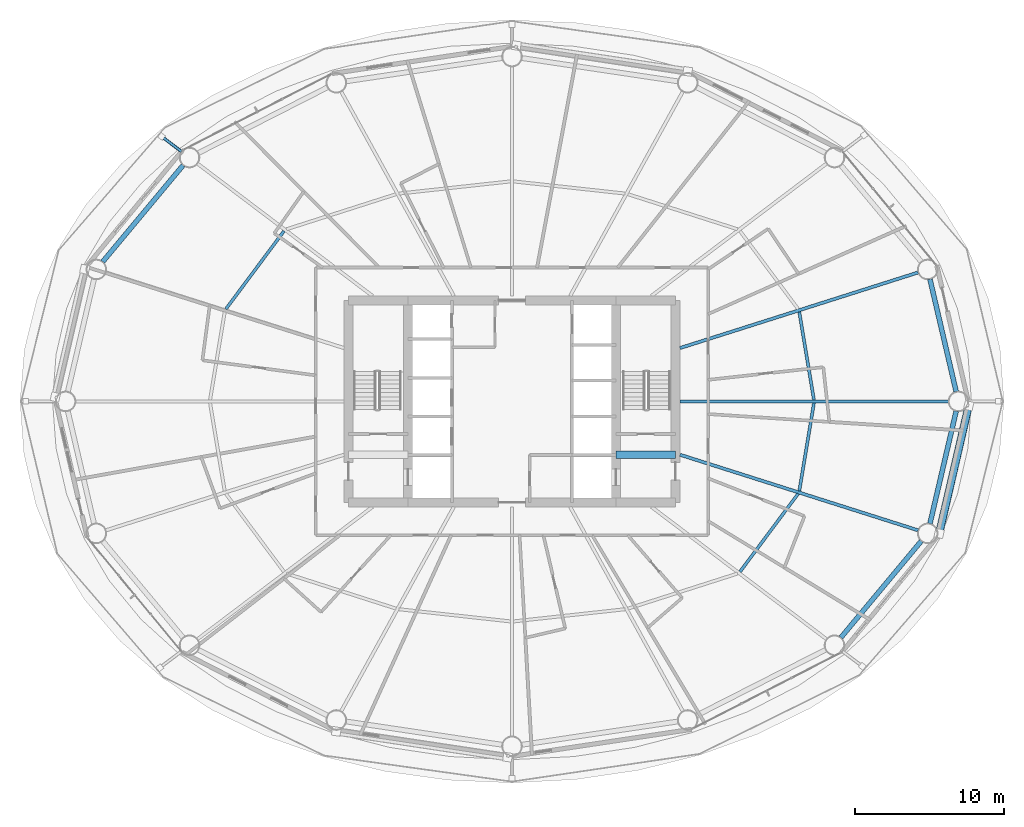
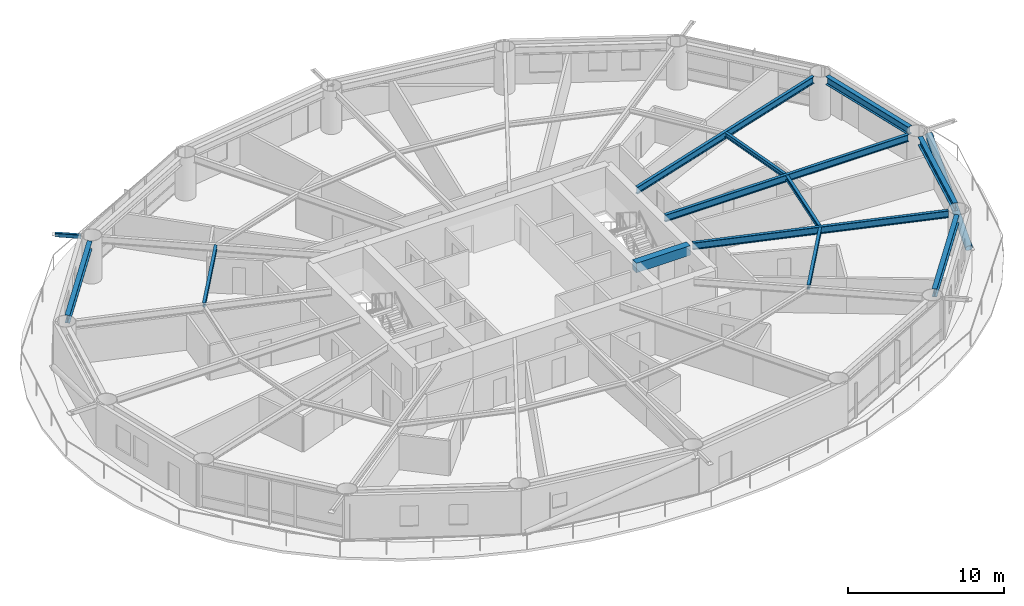
# One storey, part 9 of 26: 12 beams, 2 members.
"""IFC4 building model written with IfcOpenShell, lengths in metres."""

from ifc_helpers import new_model, si_unit, direction, frame, origin, origin_2d, place, context, subcontext, project, spatial, rectangle, hollow_rectangle, hollow_circle, i_section, extrude, material, material_profile, profile_set, type_object, element, save


model = new_model("IFC4")

# Units and contexts
model_context = context("Model", 3, precision=1e-05, world=origin(), true_north=direction((0.0, 1.0)))
body_context = subcontext(model_context, "Body", "Model", "MODEL_VIEW")
ifc_project = project(units=[si_unit("LENGTHUNIT", "METRE"), si_unit("AREAUNIT", "SQUARE_METRE"), si_unit("VOLUMEUNIT", "CUBIC_METRE"), si_unit("PLANEANGLEUNIT", "RADIAN"), si_unit("MASSUNIT", "GRAM", prefix="KILO")], contexts=[model_context])

# Site, building, storey
site_placement = place(None, origin())
site = spatial("IfcSite", under=ifc_project, at=site_placement, CompositionType="ELEMENT")
building_placement = place(site_placement, origin())
building = spatial("IfcBuilding", under=site, at=building_placement, Name="Sarneth Arch Tower", CompositionType="ELEMENT")
storey_placement = place(building_placement, frame((0.0, 0.0, 53.39990234375)))
storey = spatial("IfcBuildingStorey", under=building, at=storey_placement, Name="L12", CompositionType="ELEMENT", Elevation=53.39990234375)

# Beams
ifc_material_1 = material(Name="Steel S355", Category="steel")
ifc_material_profile_1 = material_profile(ifc_material_1, i_section(OverallWidth=0.2041015625, OverallDepth=0.35009765625, WebThickness=0.008544921875, FlangeThickness=0.01513671875, FilletRadius=0.014892578125, at=origin_2d()), Name="W360x72")
ifc_profile_set_1 = profile_set([ifc_material_profile_1], Name="Steel S355")
beam_type_1 = type_object("IfcBeamType", Name="BM-JOIST-360D", PredefinedType="JOIST", material=ifc_profile_set_1)
beam_1_placement = place(storey_placement, frame((68.312255859375, 42.10546875, 3.205078125), z_axis=(-0.163917352659, 0.986474075431, 0.0), x_axis=(-0.986474075431, -0.163917352659, 0.0)))
element("IfcBeam", 1, at=beam_1_placement, inside=storey, type_object=beam_type_1, Name="L12 Secondary floor joist 01", PredefinedType="JOIST", context=body_context, shape_type="SweptSolid", body=[
    extrude(i_section(OverallWidth=0.2041015625, OverallDepth=0.35009765625, WebThickness=0.008544921875, FlangeThickness=0.01513671875, FilletRadius=0.014892578125, at=origin_2d()), origin(), (0.0, 0.0, 1.0), 6.000732421875),
])
for number, where, z_axis, x_axis, name in (
    (2, (32.661865234375, 53.463134765625, 3.205078125), (-0.597453564101, -0.801903509621, 0.0), (0.801903509621, -0.597453564101, 0.0), "L12 Secondary floor joist 07"),
    (3, (63.338134765625, 30.536865234375, 3.205078125), (0.597453564101, 0.801903509621, 0.0), (-0.801903509621, 0.597453564101, 0.0), "L12 Secondary floor joist 15"),
):
    element("IfcBeam", number, at=place(storey_placement, frame(where, z_axis=z_axis, x_axis=x_axis)), inside=storey, type_object=beam_type_1, Name=name, PredefinedType="JOIST", context=body_context, shape_type="SweptSolid", body=[
        extrude(i_section(OverallWidth=0.2041015625, OverallDepth=0.35009765625, WebThickness=0.008544921875, FlangeThickness=0.01513671875, FilletRadius=0.014892578125, at=origin_2d()), origin(), (0.0, 0.0, 1.0), 6.542724609375),
    ])
beam_2_placement = place(storey_placement, frame((67.32861328125, 35.974853515625, 3.205078125), z_axis=(0.163917352659, 0.986474075431, 0.0), x_axis=(-0.986474075431, 0.163917352659, 0.0)))
element("IfcBeam", 4, at=beam_2_placement, inside=storey, type_object=beam_type_1, Name="L12 Secondary floor joist 16", PredefinedType="JOIST", context=body_context, shape_type="SweptSolid", body=[
    extrude(i_section(OverallWidth=0.2041015625, OverallDepth=0.35009765625, WebThickness=0.008544921875, FlangeThickness=0.01513671875, FilletRadius=0.014892578125, at=origin_2d()), origin(), (0.0, 0.0, 1.0), 6.000732421875),
])
ifc_material_2 = material(Name="Concrete C50/60", Category="concrete")
ifc_material_profile_2 = material_profile(ifc_material_2, rectangle(XDim=0.5, YDim=0.75, at=origin_2d()), Name="RC-500x750")
ifc_profile_set_2 = profile_set([ifc_material_profile_2], Name="Concrete C50/60")
beam_type_2 = type_object("IfcBeamType", Name="BM-LINTEL-RC", PredefinedType="LINTEL", material=ifc_profile_set_2)
beam_3_placement = place(storey_placement, frame((55.0, 38.39990234375, 3.005126953125), z_axis=(1.0, 0.0, 0.0), x_axis=(0.0, 1.0, 0.0)))
element("IfcBeam", 5, at=beam_3_placement, inside=storey, type_object=beam_type_2, Name="L12 Core coupling lintel E", PredefinedType="LINTEL", context=body_context, shape_type="SweptSolid", body=[
    extrude(rectangle(XDim=0.5, YDim=0.75, at=origin_2d()), origin(), (0.0, 0.0, 1.0), 4.0),
])
ifc_material_3 = material(Name="Steel S355", Category="steel")
ifc_material_profile_3 = material_profile(ifc_material_3, i_section(OverallWidth=0.214111328125, OverallDepth=0.549072265625, WebThickness=0.0146484375, FlangeThickness=0.023681640625, FilletRadius=0.01806640625, at=origin_2d()), Name="W530x138")
ifc_profile_set_3 = profile_set([ifc_material_profile_3], Name="Steel S355")
beam_type_3 = type_object("IfcBeamType", Name="BM-RAD-530A", PredefinedType="BEAM", material=ifc_profile_set_3)
beam_4_placement = place(storey_placement, frame((59.300048828125, 42.0, 3.105712890625), z_axis=(1.0, 0.0, 0.0), x_axis=(0.0, 1.0, 0.0)))
element("IfcBeam", 6, at=beam_4_placement, inside=storey, type_object=beam_type_3, Name="L12 Radial floor girder 01", PredefinedType="BEAM", context=body_context, shape_type="SweptSolid", body=[
    extrude(i_section(OverallWidth=0.214111328125, OverallDepth=0.549072265625, WebThickness=0.0146484375, FlangeThickness=0.023681640625, FilletRadius=0.01806640625, at=origin_2d()), origin(), (0.0, 0.0, 1.0), 18.059814453125),
])
for number, where, z_axis, x_axis, name in (
    (7, (59.300048828125, 45.58740234375, 3.105712890625), (0.953119945629, 0.302592744864, 0.0), (-0.302592744864, 0.953119945629, 0.0), "L12 Radial floor girder 02"),
    (8, (59.300048828125, 38.41259765625, 3.105712890625), (0.953119945629, -0.302592744864, 0.0), (0.302592744864, 0.953119945629, 0.0), "L12 Radial floor girder 16"),
):
    element("IfcBeam", number, at=place(storey_placement, frame(where, z_axis=z_axis, x_axis=x_axis)), inside=storey, type_object=beam_type_3, Name=name, PredefinedType="BEAM", context=body_context, shape_type="SweptSolid", body=[
        extrude(i_section(OverallWidth=0.214111328125, OverallDepth=0.549072265625, WebThickness=0.0146484375, FlangeThickness=0.023681640625, FilletRadius=0.01806640625, at=origin_2d()), origin(), (0.0, 0.0, 1.0), 16.810302734375),
    ])
ifc_material_4 = material(Name="Steel S355", Category="steel")
ifc_material_profile_4 = material_profile(ifc_material_4, i_section(OverallWidth=0.326904296875, OverallDepth=0.6220703125, WebThickness=0.015380859375, FlangeThickness=0.0244140625, FilletRadius=0.01904296875, at=origin_2d()), Name="W610x195")
ifc_profile_set_4 = profile_set([ifc_material_profile_4], Name="Steel S355")
beam_type_4 = type_object("IfcBeamType", Name="BM-SPAN-610A", PredefinedType="SPANDREL", material=ifc_profile_set_4)
beam_5_placement = place(storey_placement, frame((77.881591796875, 42.657470703125, 3.069091796875), z_axis=(-0.227001042423, 0.973894515201, 0.0), x_axis=(-0.973894515201, -0.227001042423, 0.0)))
element("IfcBeam", 9, at=beam_5_placement, inside=storey, type_object=beam_type_4, Name="L12 Perimeter spandrel beam 01", PredefinedType="SPANDREL", context=body_context, shape_type="SweptSolid", body=[
    extrude(i_section(OverallWidth=0.326904296875, OverallDepth=0.6220703125, WebThickness=0.015380859375, FlangeThickness=0.0244140625, FilletRadius=0.01904296875, at=origin_2d()), origin(), (0.0, 0.0, 1.0), 7.76611328125),
])
for number, where, z_axis, x_axis, name in (
    (10, (25.871337890625, 57.88623046875, 3.069091796875), (-0.639979646835, -0.768391860731, 0.0), (0.768391860731, -0.639979646835, 0.0), "L12 Perimeter spandrel beam 07"),
    (11, (70.128662109375, 26.11376953125, 3.069091796875), (0.639979646835, 0.768391860731, 0.0), (-0.768391860731, 0.639979646835, 0.0), "L12 Perimeter spandrel beam 15"),
):
    element("IfcBeam", number, at=place(storey_placement, frame(where, z_axis=z_axis, x_axis=x_axis)), inside=storey, type_object=beam_type_4, Name=name, PredefinedType="SPANDREL", context=body_context, shape_type="SweptSolid", body=[
        extrude(i_section(OverallWidth=0.326904296875, OverallDepth=0.6220703125, WebThickness=0.015380859375, FlangeThickness=0.0244140625, FilletRadius=0.01904296875, at=origin_2d()), origin(), (0.0, 0.0, 1.0), 8.4453125),
    ])
beam_6_placement = place(storey_placement, frame((76.11865234375, 33.779052734375, 3.069091796875), z_axis=(0.227001042423, 0.973894515201, 0.0), x_axis=(-0.973894515201, 0.227001042423, 0.0)))
element("IfcBeam", 12, at=beam_6_placement, inside=storey, type_object=beam_type_4, Name="L12 Perimeter spandrel beam 16", PredefinedType="SPANDREL", context=body_context, shape_type="SweptSolid", body=[
    extrude(i_section(OverallWidth=0.326904296875, OverallDepth=0.6220703125, WebThickness=0.015380859375, FlangeThickness=0.0244140625, FilletRadius=0.01904296875, at=origin_2d()), origin(), (0.0, 0.0, 1.0), 7.76611328125),
])

# Members
ifc_material_5 = material(Name="Steel S355", Category="steel")
ifc_material_profile_5 = material_profile(ifc_material_5, hollow_rectangle(XDim=0.199951171875, YDim=0.300048828125, WallThickness=0.012451171875, InnerFilletRadius=0.018798828125, OuterFilletRadius=0.03125, at=origin_2d()), Name="RHS300x200x12.5")
ifc_profile_set_5 = profile_set([ifc_material_profile_5], Name="Steel S355")
member_type_1 = type_object("IfcMemberType", Name="MEM-CANT-STRUT", PredefinedType="STRUT", material=ifc_profile_set_5)
member_1_placement = place(storey_placement, frame((25.764892578125, 58.81201171875, 3.22021484375), z_axis=(-0.797649065086, 0.603121852504, 0.0), x_axis=(-0.603121852504, -0.797649065086, 0.0)))
element("IfcMember", 13, at=member_1_placement, inside=storey, type_object=member_type_1, Name="L12 Balcony cantilever bracket 07", PredefinedType="STRUT", context=body_context, shape_type="SweptSolid", body=[
    extrude(hollow_rectangle(XDim=0.199951171875, YDim=0.300048828125, WallThickness=0.012451171875, InnerFilletRadius=0.018798828125, OuterFilletRadius=0.03125, at=origin_2d()), origin(), (0.0, 0.0, 1.0), 1.67431640625),
])
ifc_material_6 = material(Name="Steel S355", Category="steel")
ifc_material_profile_6 = material_profile(ifc_material_6, hollow_circle(Radius=0.25390625, WallThickness=0.01611328125, at=origin_2d()), Name="CHS508x16")
ifc_profile_set_6 = profile_set([ifc_material_profile_6], Name="Steel S355")
member_type_2 = type_object("IfcMemberType", Name="MEM-DIAG-BR1", PredefinedType="BRACE", material=ifc_profile_set_6)
member_2_placement = place(storey_placement, frame((76.739013671875, 33.115478515625, 0.02001953125), z_axis=(0.213332307958, 0.922814312474, 0.320785085492), x_axis=(-0.974304339016, 0.225235554419, 0.0)))
element("IfcMember", 14, at=member_2_placement, inside=storey, type_object=member_type_2, Name="L12 Perimeter frame diagonal 16", PredefinedType="BRACE", context=body_context, shape_type="SweptSolid", body=[
    extrude(hollow_circle(Radius=0.25390625, WallThickness=0.01611328125, at=origin_2d()), origin(), (0.0, 0.0, 1.0), 9.31103515625),
])

save(model, "model.ifc")
